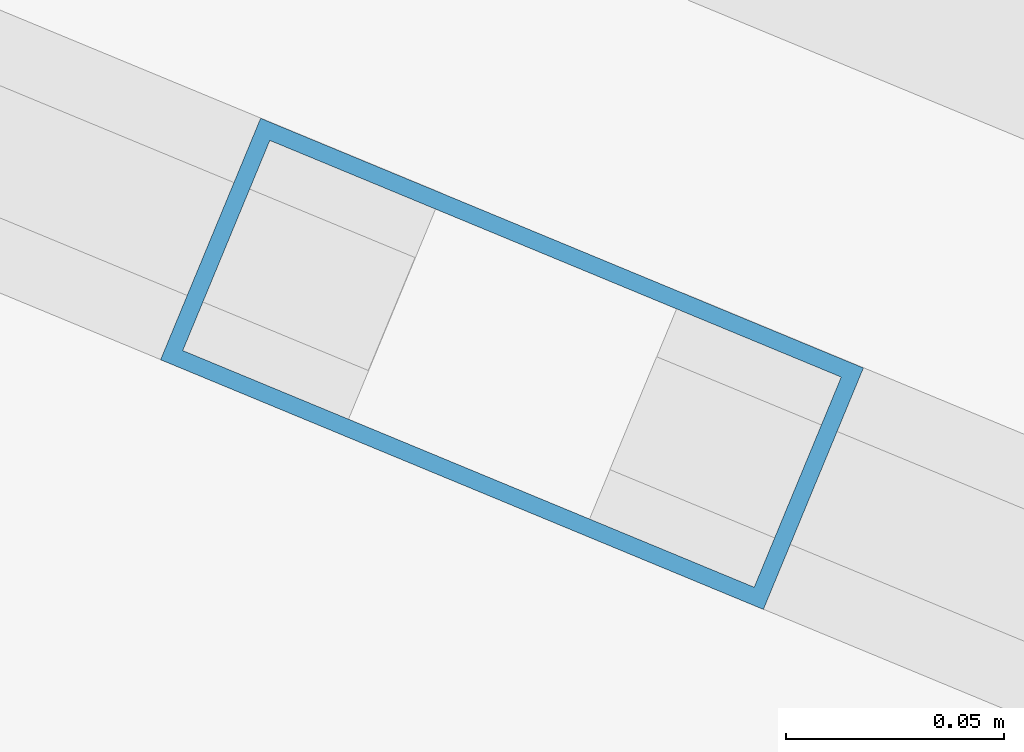
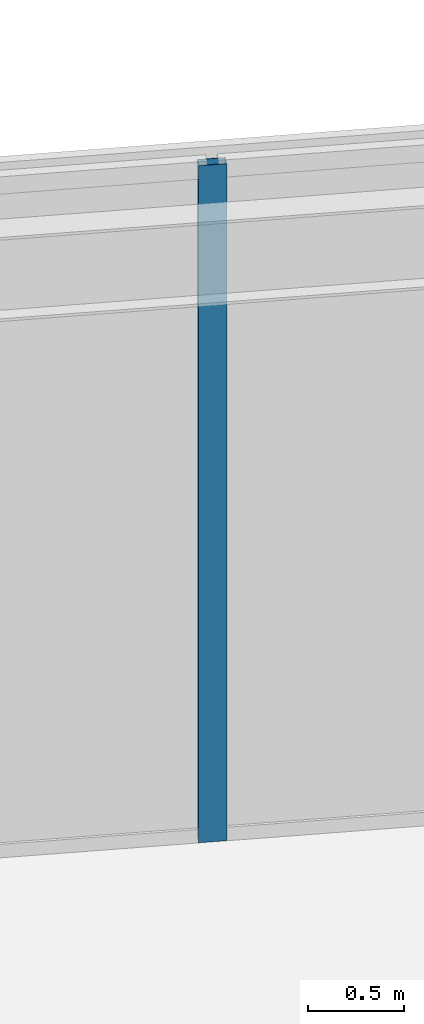
# One storey, part 42 of 89: 1 member, 1 element without a shape of its own.
"""IFC4 building model written with IfcOpenShell, lengths in metres."""

from ifc_helpers import new_model, si_unit, direction, frame, origin, origin_2d, place, context, subcontext, project, spatial, hollow_rectangle, extrude, material, material_profile, profile_set, type_object, element, aggregate, save


model = new_model("IFC4")

# Units and contexts
model_context = context("Model", 3, precision=1e-05, world=origin(), true_north=direction((0.0, 1.0)))
body_context = subcontext(model_context, "Body", "Model", "MODEL_VIEW")
ifc_project = project(units=[si_unit("LENGTHUNIT", "METRE"), si_unit("AREAUNIT", "SQUARE_METRE"), si_unit("VOLUMEUNIT", "CUBIC_METRE"), si_unit("PLANEANGLEUNIT", "RADIAN"), si_unit("MASSUNIT", "GRAM", prefix="KILO")], contexts=[model_context])

# Site, building, storey
site_placement = place(None, origin())
site = spatial("IfcSite", under=ifc_project, at=site_placement, CompositionType="ELEMENT")
building_placement = place(site_placement, origin())
building = spatial("IfcBuilding", under=site, at=building_placement, Name="Almandine Court Research Institute", CompositionType="ELEMENT")
storey_placement = place(building_placement, frame((0.0, 0.0, 18.89990234375)))
storey = spatial("IfcBuildingStorey", under=building, at=storey_placement, Name="L04", CompositionType="ELEMENT", Elevation=18.89990234375)

# Curtain wall, member
ifc_material_1 = material(Name="Unitised Curtain Wall Framing and Solar Glazing", Category="glass")
curtain_wall_type = type_object("IfcCurtainWallType", Name="CW-CWG-22", PredefinedType="USERDEFINED", material=ifc_material_1)
curtain_wall_placement = place(storey_placement, origin())
curtain_wall = element("IfcCurtainWall", 1, at=curtain_wall_placement, inside=storey, type_object=curtain_wall_type, Name="L04 Stacked-Ring Drum Outer Unitised Glazing 04", ObjectType="UNITISED GLAZING", PredefinedType="USERDEFINED")
ifc_material_2 = material(Name="Anodised Aluminium AW-6063-T6", Category="aluminium")
ifc_material_profile = material_profile(ifc_material_2, hollow_rectangle(XDim=0.06005859375, YDim=0.14990234375, WallThickness=0.00390625, at=origin_2d()), Name="ALU RHS 60x150x4")
ifc_profile_set = profile_set([ifc_material_profile], Name="Anodised Aluminium AW-6063-T6")
member_type = type_object("IfcMemberType", Name="CWMul-60x150", PredefinedType="MULLION", material=ifc_profile_set)
member_placement = place(storey_placement, frame((107.7109375, 100.3916015625, 0.0), z_axis=(0.0, 0.0, 1.0), x_axis=(0.382662689242, 0.923888124321, 0.0)))
member = element("IfcMember", 2, at=member_placement, type_object=member_type, Name="CWG-22 mullion 3", PredefinedType="MULLION", context=body_context, shape_type="SweptSolid", body=[
    extrude(hollow_rectangle(XDim=0.06005859375, YDim=0.14990234375, WallThickness=0.00390625, at=origin_2d()), origin(), (0.0, 0.0, 1.0), 4.31005859375),
])
aggregate(curtain_wall, [member])

save(model, "model.ifc")
